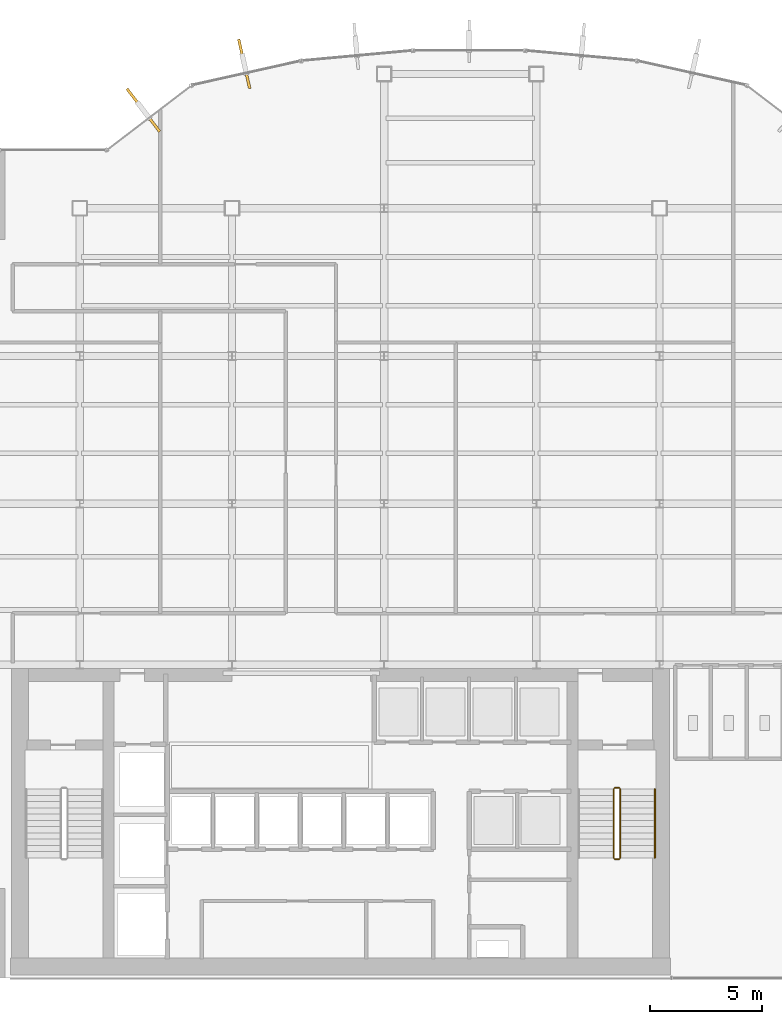
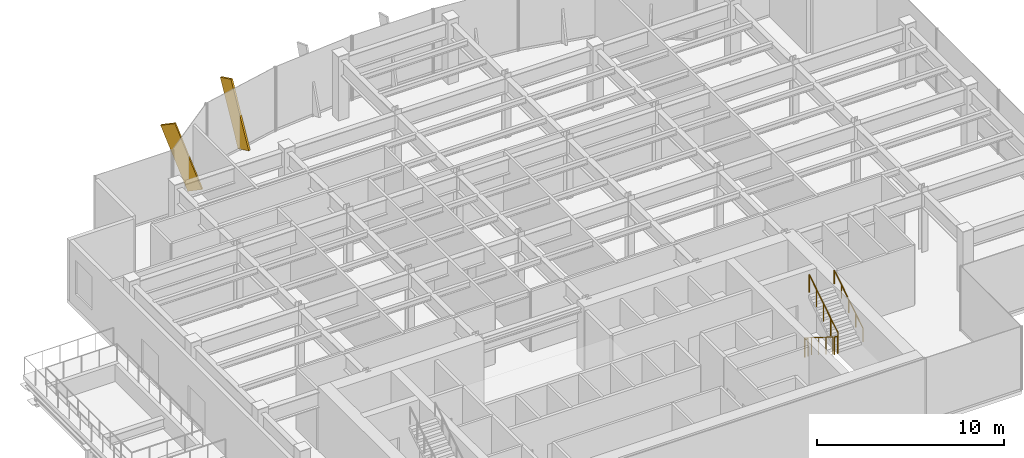
# One storey, part 23 of 26: 5 railings, 2 shading devices.
"""IFC4 building model written with IfcOpenShell, lengths in metres."""

from ifc_helpers import new_model, si_unit, derived_unit, direction, frame, origin, origin_2d, place, context, subcontext, project, spatial, rectangle, circle, extrude, source, transform, mapped, material, type_object, element, save


model = new_model("IFC4")

# Units and contexts
model_context = context("Model", 3, precision=1e-05, world=origin(), true_north=direction((0.0, 1.0)))
body_context = subcontext(model_context, "Body", "Model", "MODEL_VIEW")
ifc_project = project(units=[si_unit("LENGTHUNIT", "METRE"), si_unit("AREAUNIT", "SQUARE_METRE"), si_unit("VOLUMEUNIT", "CUBIC_METRE"), si_unit("PLANEANGLEUNIT", "RADIAN"), si_unit("MASSUNIT", "GRAM", prefix="KILO"), derived_unit("THERMALTRANSMITTANCEUNIT", [(si_unit("POWERUNIT", "WATT"), 1), (si_unit("LENGTHUNIT", "METRE"), -2), (si_unit("THERMODYNAMICTEMPERATUREUNIT", "KELVIN"), -1)])], contexts=[model_context])

# Site, building, storey
site_placement = place(None, origin())
site = spatial("IfcSite", under=ifc_project, at=site_placement, CompositionType="ELEMENT")
building_placement = place(site_placement, origin())
building = spatial("IfcBuilding", under=site, at=building_placement, Name="Skarnbrae Concourse Arena and Tower", CompositionType="ELEMENT")
storey_placement = place(building_placement, frame((0.0, 0.0, 184.39990234375)))
storey = spatial("IfcBuildingStorey", under=building, at=storey_placement, Name="L47", CompositionType="ELEMENT", Elevation=184.39990234375)

# Railings
ifc_material_1 = material(Name="Steel CSA G40.21 350W", Category="steel")
railing_type_1 = type_object("IfcRailingType", Name="RAIL-HANDRAIL-900", PredefinedType="HANDRAIL", material=ifc_material_1)
railing_1_placement = place(storey_placement, frame((33.300048828125, 5.3701171875, 2.275146484375)))
element("IfcRailing", 1, at=railing_1_placement, inside=storey, type_object=railing_type_1, Name="L47 ST-2 stair handrail 2", PredefinedType="HANDRAIL", context=body_context, shape_type="SweptSolid", body=[
    extrude(circle(Radius=0.02392578125, at=origin_2d()), frame((0.0, 0.0, 0.8759765625), z_axis=(0.0, 0.847979421464, 0.530029150871), x_axis=(-1.0, 0.0, 0.0)), (0.0, 0.0, 1.0), 3.632080078125),
    extrude(circle(Radius=0.02099609375, at=origin_2d()), origin(), (0.0, 0.0, 1.0), 0.851806640625),
    extrude(circle(Radius=0.02099609375, at=origin_2d()), frame((0.0, 0.77001953125, 0.481201171875)), (0.0, 0.0, 1.0), 0.851806640625),
    extrude(circle(Radius=0.02099609375, at=origin_2d()), frame((0.0, 1.5400390625, 0.96240234375)), (0.0, 0.0, 1.0), 0.851806640625),
    extrude(circle(Radius=0.02099609375, at=origin_2d()), frame((0.0, 2.309814453125, 1.44384765625)), (0.0, 0.0, 1.0), 0.851806640625),
    extrude(circle(Radius=0.02099609375, at=origin_2d()), frame((0.0, 3.079833984375, 1.925048828125)), (0.0, 0.0, 1.0), 0.851806640625),
])
railing_type_2 = type_object("IfcRailingType", Name="RAIL-STAIR-GUARD-1150", PredefinedType="GUARDRAIL", material=ifc_material_1)
railing_2_placement = place(storey_placement, frame((31.449951171875, 8.449951171875, 0.175048828125)))
element("IfcRailing", 2, at=railing_2_placement, inside=storey, type_object=railing_type_2, Name="L47 ST-2 stair guard 1", PredefinedType="GUARDRAIL", context=body_context, shape_type="SweptSolid", body=[
    extrude(circle(Radius=0.02392578125, at=origin_2d()), frame((0.0, 0.0, 1.1259765625), z_axis=(0.0, -0.847979421464, 0.530029150871), x_axis=(1.0, 0.0, 0.0)), (0.0, 0.0, 1.0), 3.632080078125),
    extrude(circle(Radius=0.02099609375, at=origin_2d()), origin(), (0.0, 0.0, 1.0), 1.101806640625),
    extrude(circle(Radius=0.02099609375, at=origin_2d()), frame((0.0, -0.77001953125, 0.481201171875)), (0.0, 0.0, 1.0), 1.101806640625),
    extrude(circle(Radius=0.02099609375, at=origin_2d()), frame((0.0, -1.5400390625, 0.96240234375)), (0.0, 0.0, 1.0), 1.101806640625),
    extrude(circle(Radius=0.02099609375, at=origin_2d()), frame((0.0, -2.309814453125, 1.44384765625)), (0.0, 0.0, 1.0), 1.101806640625),
    extrude(circle(Radius=0.02099609375, at=origin_2d()), frame((0.0, -3.079833984375, 1.925048828125)), (0.0, 0.0, 1.0), 1.101806640625),
])
railing_3_placement = place(storey_placement, frame((31.5, 5.320068359375, 2.10009765625)))
element("IfcRailing", 3, at=railing_3_placement, inside=storey, type_object=railing_type_2, Name="L47 ST-2 stair guard 2", PredefinedType="GUARDRAIL", context=body_context, shape_type="SweptSolid", body=[
    extrude(circle(Radius=0.02392578125, at=origin_2d()), frame((0.0, 0.0, 1.1259765625), z_axis=(1.0, 0.0, 0.0), x_axis=(0.0, 1.0, 0.0)), (0.0, 0.0, 1.0), 0.199951171875),
    extrude(circle(Radius=0.02099609375, at=origin_2d()), origin(), (0.0, 0.0, 1.0), 1.101806640625),
    extrude(circle(Radius=0.02099609375, at=origin_2d()), frame((0.199951171875, 0.0, 0.0)), (0.0, 0.0, 1.0), 1.101806640625),
])
railing_4_placement = place(storey_placement, frame((31.75, 5.3701171875, 2.275146484375)))
element("IfcRailing", 4, at=railing_4_placement, inside=storey, type_object=railing_type_2, Name="L47 ST-2 stair guard 3", PredefinedType="GUARDRAIL", context=body_context, shape_type="SweptSolid", body=[
    extrude(circle(Radius=0.02392578125, at=origin_2d()), frame((0.0, 0.0, 1.1259765625), z_axis=(0.0, 0.847979421464, 0.530029150871), x_axis=(-1.0, 0.0, 0.0)), (0.0, 0.0, 1.0), 3.632080078125),
    extrude(circle(Radius=0.02099609375, at=origin_2d()), origin(), (0.0, 0.0, 1.0), 1.101806640625),
    extrude(circle(Radius=0.02099609375, at=origin_2d()), frame((0.0, 0.77001953125, 0.481201171875)), (0.0, 0.0, 1.0), 1.101806640625),
    extrude(circle(Radius=0.02099609375, at=origin_2d()), frame((0.0, 1.5400390625, 0.96240234375)), (0.0, 0.0, 1.0), 1.101806640625),
    extrude(circle(Radius=0.02099609375, at=origin_2d()), frame((0.0, 2.309814453125, 1.44384765625)), (0.0, 0.0, 1.0), 1.101806640625),
    extrude(circle(Radius=0.02099609375, at=origin_2d()), frame((0.0, 3.079833984375, 1.925048828125)), (0.0, 0.0, 1.0), 1.101806640625),
])
railing_5_placement = place(storey_placement, frame((31.5, 8.5, 0.0)))
element("IfcRailing", 5, at=railing_5_placement, inside=storey, type_object=railing_type_2, Name="L47 ST-2 stair guard 4", PredefinedType="GUARDRAIL", context=body_context, shape_type="SweptSolid", body=[
    extrude(circle(Radius=0.02392578125, at=origin_2d()), frame((0.0, 0.0, 1.1259765625), z_axis=(1.0, 0.0, 0.0), x_axis=(0.0, 1.0, 0.0)), (0.0, 0.0, 1.0), 0.199951171875),
    extrude(circle(Radius=0.02099609375, at=origin_2d()), origin(), (0.0, 0.0, 1.0), 1.101806640625),
    extrude(circle(Radius=0.02099609375, at=origin_2d()), frame((0.199951171875, 0.0, 0.0)), (0.0, 0.0, 1.0), 1.101806640625),
])

# Shading devices
ifc_material_2 = material(Name="Bronze anodised aluminium 6063-T6", Category="aluminium")
shading_device_type = type_object("IfcShadingDeviceType", Name="SHD-BRONZE-FIN-900", PredefinedType="USERDEFINED", material=ifc_material_2)
shared_shape = source(origin(), body_context, "Body", "SweptSolid", [
    extrude(rectangle(XDim=0.1201171875, YDim=0.89990234375, at=origin_2d()), origin(), (0.0, 0.0, 1.0), 4.199951171875),
])
for number, where, z_axis, x_axis, name in (
    (6, (15.10107421875, 40.162841796875, 0.12158203125), (-0.07307621312, 0.327058247596, 0.942174490079), (0.975935794812, 0.218058075762, 0.0), "L47 Outward-leaning bronze shading fin 13"),
    (7, (10.91796875, 38.154541015625, 0.153076171875), (-0.227360181444, 0.297924001033, 0.927118459261), (0.794954941871, 0.606668476513, 0.0), "L47 Outward-leaning bronze shading fin 14"),
):
    element("IfcShadingDevice", number, at=place(storey_placement, frame(where, z_axis=z_axis, x_axis=x_axis)), inside=storey, type_object=shading_device_type, Name=name, ObjectType="FIN", PredefinedType="USERDEFINED", context=body_context, shape_type="MappedRepresentation", body=[
        mapped(shared_shape, transform((0.0, 0.0, 0.0))),
    ])

save(model, "model.ifc")
